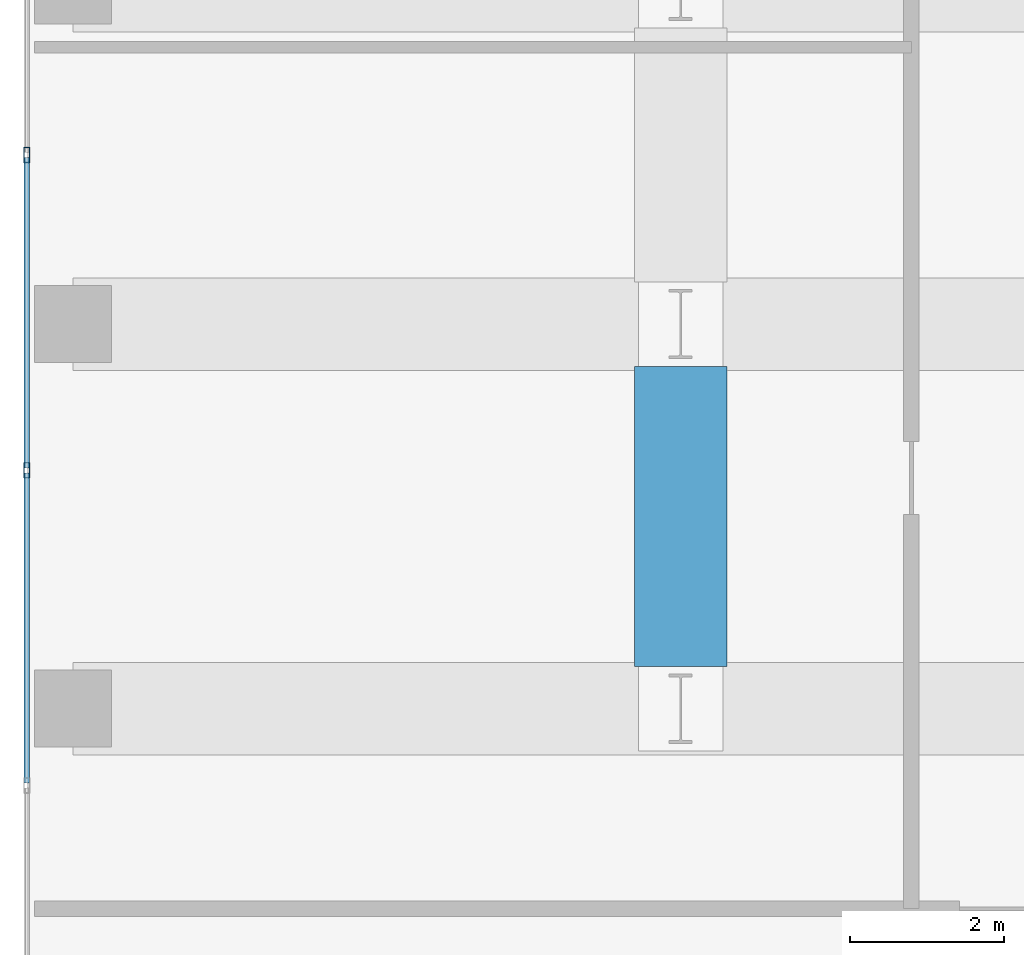
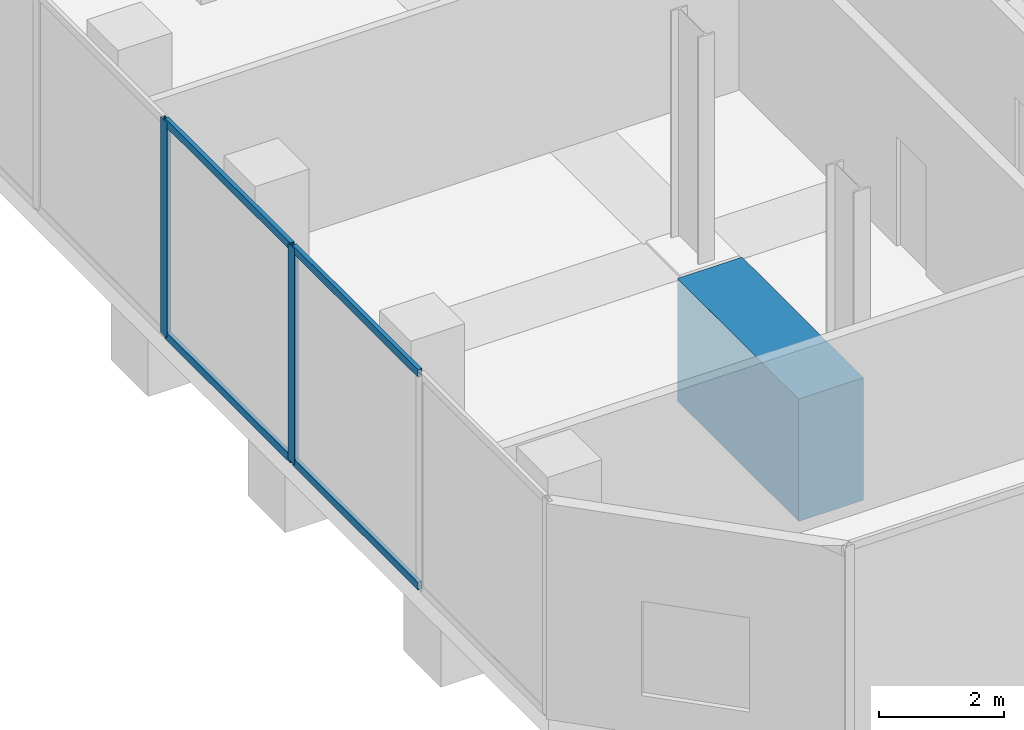
# One storey, part 3 of 24: 6 members, 1 beam, 1 element without a shape of its own.
"""IFC4 building model written with IfcOpenShell, lengths in metres."""

from ifc_helpers import new_model, si_unit, direction, frame, origin, origin_2d, place, context, subcontext, project, spatial, rectangle, hollow_rectangle, extrude, material, layer, layer_set, material_profile, profile_set, type_object, element, aggregate, save


model = new_model("IFC4")

# Units and contexts
model_context = context("Model", 3, precision=1e-05, world=origin(), true_north=direction((0.0, 1.0)))
body_context = subcontext(model_context, "Body", "Model", "MODEL_VIEW")
ifc_project = project(units=[si_unit("LENGTHUNIT", "METRE"), si_unit("AREAUNIT", "SQUARE_METRE"), si_unit("VOLUMEUNIT", "CUBIC_METRE"), si_unit("PLANEANGLEUNIT", "RADIAN"), si_unit("MASSUNIT", "GRAM", prefix="KILO")], contexts=[model_context])

# Site, building, storey
site_placement = place(None, origin())
site = spatial("IfcSite", under=ifc_project, at=site_placement, CompositionType="ELEMENT")
building_placement = place(site_placement, origin())
building = spatial("IfcBuilding", under=site, at=building_placement, Name="Catumbela Crestline Tower", CompositionType="ELEMENT")
storey_placement = place(building_placement, frame((0.0, 0.0, 21.3)))
storey = spatial("IfcBuildingStorey", under=building, at=storey_placement, Name="L04", CompositionType="ELEMENT", Elevation=21.3)

# Beam
ifc_material_1 = material(Name="Concrete C60/75", Category="concrete")
ifc_material_profile_1 = material_profile(ifc_material_1, rectangle(XDim=1.2, YDim=2.4, at=origin_2d()), Name="RC 1200x2400")
ifc_profile_set_1 = profile_set([ifc_material_profile_1], Name="Concrete C60/75")
beam_type = type_object("IfcBeamType", Name="TG-2400", PredefinedType="BEAM", material=ifc_profile_set_1)
beam_placement = place(storey_placement, frame((8.5, 9.15, -1.2), z_axis=(0.0, 1.0, 0.0), x_axis=(-1.0, 0.0, 0.0)))
element("IfcBeam", 1, at=beam_placement, inside=storey, type_object=beam_type, Name="L04 Transfer Girder TG-L04-NS1", PredefinedType="BEAM", context=body_context, shape_type="SweptSolid", body=[
    extrude(rectangle(XDim=1.2, YDim=2.4, at=origin_2d()), origin(), (0.0, 0.0, 1.0), 3.9),
])

# Curtain wall, members
ifc_material_2 = material(Name="Aluminium alloy AW-6060-T66", Category="aluminium")
ifc_layer = layer(ifc_material_2, 0.18, Name="Aluminium alloy AW-6060-T66")
ifc_layer_set = layer_set([ifc_layer], Name="Aluminium alloy AW-6060-T66")
curtain_wall_type = type_object("IfcCurtainWallType", Name="CWS-POD", PredefinedType="USERDEFINED", material=ifc_layer_set)
curtain_wall_placement = place(storey_placement, origin())
curtain_wall = element("IfcCurtainWall", 2, at=curtain_wall_placement, inside=storey, type_object=curtain_wall_type, Name="L04 Stick Curtain Wall CW-L04-E9S1", ObjectType="STICK", PredefinedType="USERDEFINED")
ifc_material_profile_2 = material_profile(ifc_material_2, hollow_rectangle(XDim=0.075, YDim=0.2, WallThickness=0.005, at=origin_2d()), Name="ALU 200x75x5")
ifc_profile_set_2 = profile_set([ifc_material_profile_2], Name="Aluminium alloy AW-6060-T66")
member_type_1 = type_object("IfcMemberType", Name="MUL-200X75", PredefinedType="MULLION", material=ifc_profile_set_2)
member_1_placement = place(storey_placement, frame((0.0, 15.8, 0.0), z_axis=(0.0, 0.0, 1.0), x_axis=(1.0, 0.0, 0.0)))
member_1 = element("IfcMember", 3, at=member_1_placement, type_object=member_type_1, Name="CWS-POD mullion 8", PredefinedType="MULLION", context=body_context, shape_type="SweptSolid", body=[
    extrude(hollow_rectangle(XDim=0.075, YDim=0.2, WallThickness=0.005, at=origin_2d()), origin(), (0.0, 0.0, 1.0), 4.23),
])
member_2_placement = place(storey_placement, frame((0.0, 11.7, 0.0), z_axis=(0.0, 0.0, 1.0), x_axis=(1.0, 0.0, 0.0)))
member_2 = element("IfcMember", 4, at=member_2_placement, type_object=member_type_1, Name="CWS-POD mullion 9", PredefinedType="MULLION", context=body_context, shape_type="SweptSolid", body=[
    extrude(hollow_rectangle(XDim=0.075, YDim=0.2, WallThickness=0.005, at=origin_2d()), origin(), (0.0, 0.0, 1.0), 4.23),
])
ifc_material_profile_3 = material_profile(ifc_material_2, hollow_rectangle(XDim=0.075, YDim=0.15, WallThickness=0.0045, at=origin_2d()), Name="ALU 150x75x4.5")
ifc_profile_set_3 = profile_set([ifc_material_profile_3], Name="Aluminium alloy AW-6060-T66")
member_type_2 = type_object("IfcMemberType", Name="TRN-150X75", PredefinedType="USERDEFINED", material=ifc_profile_set_3)
member_3_placement = place(storey_placement, frame((0.0, 15.7675, 0.03), z_axis=(0.0, -1.0, 0.0), x_axis=(1.0, 0.0, 0.0)))
member_3 = element("IfcMember", 5, at=member_3_placement, type_object=member_type_2, Name="CWS-POD transom 8.1", ObjectType="TRANSOM", PredefinedType="USERDEFINED", context=body_context, shape_type="SweptSolid", body=[
    extrude(hollow_rectangle(XDim=0.075, YDim=0.15, WallThickness=0.0045, at=origin_2d()), origin(), (0.0, 0.0, 1.0), 4.035),
])
member_4_placement = place(storey_placement, frame((0.0, 15.7675, 4.2), z_axis=(0.0, -1.0, 0.0), x_axis=(1.0, 0.0, 0.0)))
member_4 = element("IfcMember", 6, at=member_4_placement, type_object=member_type_2, Name="CWS-POD transom 8.2", ObjectType="TRANSOM", PredefinedType="USERDEFINED", context=body_context, shape_type="SweptSolid", body=[
    extrude(hollow_rectangle(XDim=0.075, YDim=0.15, WallThickness=0.0045, at=origin_2d()), origin(), (0.0, 0.0, 1.0), 4.035),
])
member_5_placement = place(storey_placement, frame((0.0, 11.6675, 0.03), z_axis=(0.0, -1.0, 0.0), x_axis=(1.0, 0.0, 0.0)))
member_5 = element("IfcMember", 7, at=member_5_placement, type_object=member_type_2, Name="CWS-POD transom 9.1", ObjectType="TRANSOM", PredefinedType="USERDEFINED", context=body_context, shape_type="SweptSolid", body=[
    extrude(hollow_rectangle(XDim=0.075, YDim=0.15, WallThickness=0.0045, at=origin_2d()), origin(), (0.0, 0.0, 1.0), 4.035),
])
member_6_placement = place(storey_placement, frame((0.0, 11.6675, 4.2), z_axis=(0.0, -1.0, 0.0), x_axis=(1.0, 0.0, 0.0)))
member_6 = element("IfcMember", 8, at=member_6_placement, type_object=member_type_2, Name="CWS-POD transom 9.2", ObjectType="TRANSOM", PredefinedType="USERDEFINED", context=body_context, shape_type="SweptSolid", body=[
    extrude(hollow_rectangle(XDim=0.075, YDim=0.15, WallThickness=0.0045, at=origin_2d()), origin(), (0.0, 0.0, 1.0), 4.035),
])
aggregate(curtain_wall, [member_1, member_2, member_3, member_4, member_5, member_6])

save(model, "model.ifc")
